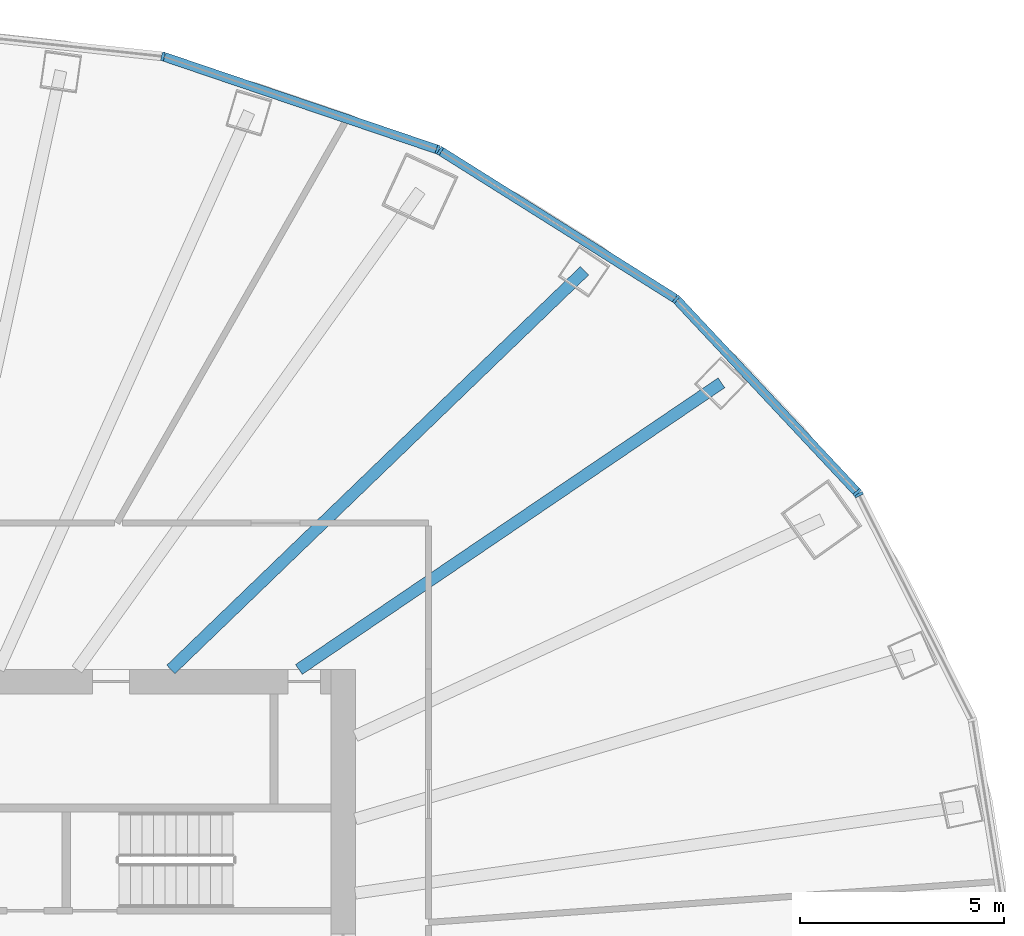
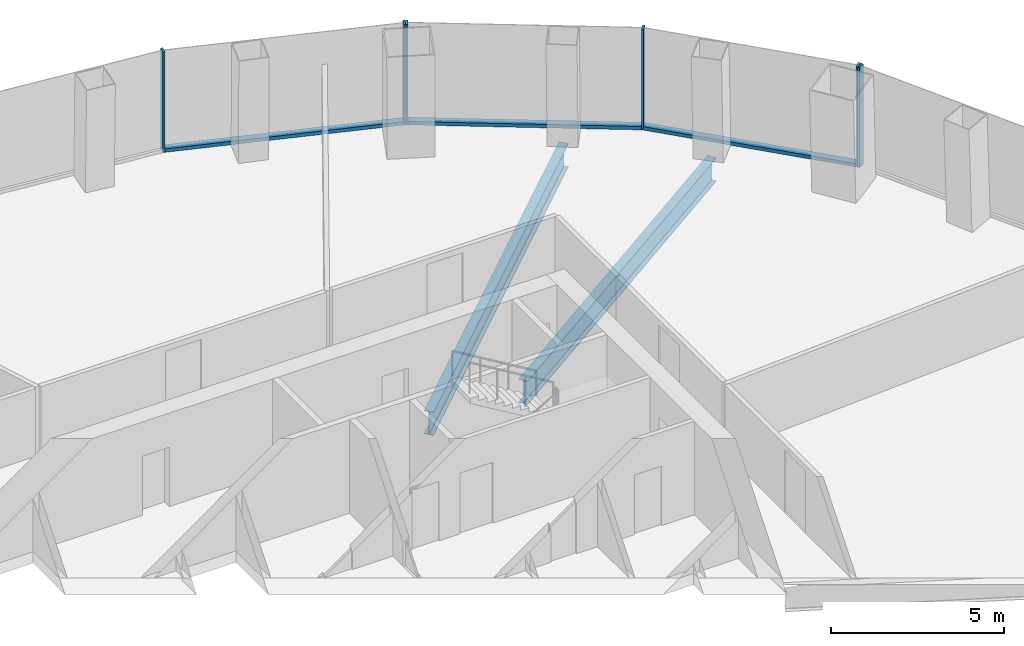
# One storey, part 6 of 11: 9 members, 2 beams, 3 elements without a shape of their own.
"""IFC4 building model written with IfcOpenShell, lengths in metres."""

from ifc_helpers import new_model, si_unit, direction, frame, origin, origin_2d, place, context, subcontext, project, spatial, rectangle, i_section, extrude, material, layer, layer_set, material_profile, profile_set, type_object, element, aggregate, save


model = new_model("IFC4")

# Units and contexts
model_context = context("Model", 3, precision=1e-05, world=origin(), true_north=direction((0.0, 1.0)))
body_context = subcontext(model_context, "Body", "Model", "MODEL_VIEW")
ifc_project = project(units=[si_unit("LENGTHUNIT", "METRE"), si_unit("AREAUNIT", "SQUARE_METRE"), si_unit("VOLUMEUNIT", "CUBIC_METRE"), si_unit("PLANEANGLEUNIT", "RADIAN"), si_unit("MASSUNIT", "GRAM", prefix="KILO")], contexts=[model_context])

# Site, building, storey
site_placement = place(None, origin())
site = spatial("IfcSite", under=ifc_project, at=site_placement, CompositionType="ELEMENT")
building_placement = place(site_placement, origin())
building = spatial("IfcBuilding", under=site, at=building_placement, Name="Siaravel Broadcast Tower", CompositionType="ELEMENT")
storey_placement = place(building_placement, frame((0.0, 0.0, 40.800048828125)))
storey = spatial("IfcBuildingStorey", under=building, at=storey_placement, Name="L08", CompositionType="ELEMENT", Elevation=40.800048828125)

# Beams
ifc_material_1 = material(Name="Steel S355", Category="steel")
ifc_material_profile_1 = material_profile(ifc_material_1, i_section(OverallWidth=0.291748046875, OverallDepth=0.8349609375, WebThickness=0.013916015625, FlangeThickness=0.018798828125, FilletRadius=0.017822265625, at=origin_2d()))
ifc_profile_set_1 = profile_set([ifc_material_profile_1], Name="Steel S355")
beam_type = type_object("IfcBeamType", Name="BM-UB 838x292x176", PredefinedType="BEAM", material=ifc_profile_set_1)
beam_1_placement = place(storey_placement, frame((20.989990234375, 14.238525390625, -0.567626953125), z_axis=(-0.827559775, -0.561377608, 0.0), x_axis=(0.561377608, -0.827559775, 0.0)))
element("IfcBeam", 1, at=beam_1_placement, inside=storey, type_object=beam_type, Name="Radial beam RB05", PredefinedType="BEAM", context=body_context, shape_type="SweptSolid", body=[
    extrude(i_section(OverallWidth=0.291748046875, OverallDepth=0.8349609375, WebThickness=0.013916015625, FlangeThickness=0.018798828125, FilletRadius=0.017822265625, at=origin_2d()), origin(), (0.0, 0.0, 1.0), 12.5380859375),
])
beam_2_placement = place(storey_placement, frame((17.628662109375, 16.99169921875, -0.567626953125), z_axis=(-0.719990643, -0.693983771, 0.0), x_axis=(0.693983771, -0.719990643, 0.0)))
element("IfcBeam", 2, at=beam_2_placement, inside=storey, type_object=beam_type, Name="Radial beam RB06", PredefinedType="BEAM", context=body_context, shape_type="SweptSolid", body=[
    extrude(i_section(OverallWidth=0.291748046875, OverallDepth=0.8349609375, WebThickness=0.013916015625, FlangeThickness=0.018798828125, FilletRadius=0.017822265625, at=origin_2d()), origin(), (0.0, 0.0, 1.0), 14.109375),
])

# Curtain wall, member
ifc_material_2 = material(Name="Aluminium 6063-T6", Category="aluminium")
ifc_layer = layer(ifc_material_2, 0.219970703125)
ifc_layer_set = layer_set([ifc_layer], Name="Aluminium 6063-T6")
curtain_wall_type = type_object("IfcCurtainWallType", Name="Unitised curtain wall, zone 1", PredefinedType="NOTDEFINED", material=ifc_layer_set)
curtain_wall_1_placement = place(storey_placement, origin())
curtain_wall_1 = element("IfcCurtainWall", 3, at=curtain_wall_1_placement, inside=storey, type_object=curtain_wall_type, Name="L08 Unitised curtain wall, zone 1 01", PredefinedType="NOTDEFINED")
ifc_material_profile_2 = material_profile(ifc_material_2, rectangle(XDim=0.219970703125, YDim=0.070068359375, at=origin_2d()))
ifc_profile_set_2 = profile_set([ifc_material_profile_2], Name="Aluminium 6063-T6")
member_type_1 = type_object("IfcMemberType", Name="CW-Z1 mullion", PredefinedType="MULLION", material=ifc_profile_set_2)
member_1_placement = place(storey_placement, frame((24.362548828125, 11.4921875, 0.0), z_axis=(0.0, 0.0, 1.0), x_axis=(-0.892391814, -0.451261399, 0.0)))
member_1 = element("IfcMember", 4, at=member_1_placement, type_object=member_type_1, Name="CW-Z1 mullion 3", PredefinedType="MULLION", context=body_context, shape_type="SweptSolid", body=[
    extrude(rectangle(XDim=0.219970703125, YDim=0.070068359375, at=origin_2d()), origin(), (0.0, 0.0, 1.0), 3.550048828125),
])
aggregate(curtain_wall_1, [member_1])

# Curtain wall, members
curtain_wall_2_placement = place(storey_placement, origin())
curtain_wall_2 = element("IfcCurtainWall", 5, at=curtain_wall_2_placement, inside=storey, type_object=curtain_wall_type, Name="L08 Unitised curtain wall, zone 1 02", PredefinedType="NOTDEFINED")
member_2_placement = place(storey_placement, frame((24.322998046875, 11.549072265625, 0.0), z_axis=(0.0, 0.0, 1.0), x_axis=(-0.729804946, -0.683655426, 0.0)))
member_2 = element("IfcMember", 6, at=member_2_placement, type_object=member_type_1, Name="CW-Z1 mullion 1", PredefinedType="MULLION", context=body_context, shape_type="SweptSolid", body=[
    extrude(rectangle(XDim=0.219970703125, YDim=0.070068359375, at=origin_2d()), origin(), (0.0, 0.0, 1.0), 3.550048828125),
])
member_3_placement = place(storey_placement, frame((19.87744140625, 16.294677734375, 0.0), z_axis=(0.0, 0.0, 1.0), x_axis=(-0.63621841, -0.771508998, 0.0)))
member_3 = element("IfcMember", 7, at=member_3_placement, type_object=member_type_1, Name="CW-Z1 mullion 2", PredefinedType="MULLION", context=body_context, shape_type="SweptSolid", body=[
    extrude(rectangle(XDim=0.219970703125, YDim=0.070068359375, at=origin_2d()), origin(), (0.0, 0.0, 1.0), 3.550048828125),
])
member_4_placement = place(storey_placement, frame((14.083984375, 19.935791015625, 0.0), z_axis=(0.0, 0.0, 1.0), x_axis=(-0.532149101, -0.846650657, 0.0)))
member_4 = element("IfcMember", 8, at=member_4_placement, type_object=member_type_1, Name="CW-Z1 mullion 3", PredefinedType="MULLION", context=body_context, shape_type="SweptSolid", body=[
    extrude(rectangle(XDim=0.219970703125, YDim=0.070068359375, at=origin_2d()), origin(), (0.0, 0.0, 1.0), 3.550048828125),
])

curtain_wall_3_placement = place(storey_placement, origin())
curtain_wall_3 = element("IfcCurtainWall", 9, at=curtain_wall_3_placement, inside=storey, type_object=curtain_wall_type, Name="L08 Unitised curtain wall, zone 1 03", PredefinedType="NOTDEFINED")
member_5_placement = place(storey_placement, frame((14.021240234375, 19.9658203125, 0.0), z_axis=(0.0, 0.0, 1.0), x_axis=(-0.321300632, -0.946977246, 0.0)))
member_5 = element("IfcMember", 10, at=member_5_placement, type_object=member_type_1, Name="CW-Z1 mullion 1", PredefinedType="MULLION", context=body_context, shape_type="SweptSolid", body=[
    extrude(rectangle(XDim=0.219970703125, YDim=0.070068359375, at=origin_2d()), origin(), (0.0, 0.0, 1.0), 3.550048828125),
])
member_6_placement = place(storey_placement, frame((7.27490234375, 22.2548828125, 0.0), z_axis=(0.0, 0.0, 1.0), x_axis=(-0.215558083, -0.97649102, 0.0)))
member_6 = element("IfcMember", 11, at=member_6_placement, type_object=member_type_1, Name="CW-Z1 mullion 2", PredefinedType="MULLION", context=body_context, shape_type="SweptSolid", body=[
    extrude(rectangle(XDim=0.219970703125, YDim=0.070068359375, at=origin_2d()), origin(), (0.0, 0.0, 1.0), 3.550048828125),
])

# Member
ifc_material_profile_3 = material_profile(ifc_material_2, rectangle(XDim=0.219970703125, YDim=0.1201171875, at=origin_2d()))
ifc_profile_set_3 = profile_set([ifc_material_profile_3], Name="Aluminium 6063-T6")
member_type_2 = type_object("IfcMemberType", Name="CW-Z1 transom", PredefinedType="USERDEFINED", material=ifc_profile_set_3)
member_7_placement = place(storey_placement, frame((24.299072265625, 11.574462890625, 0.06005859375), z_axis=(-0.683654492, 0.72980582, 0.0), x_axis=(-0.72980582, -0.683654492, 0.0)))
member_7 = element("IfcMember", 12, at=member_7_placement, type_object=member_type_2, Name="CW-Z1 transom 1", ObjectType="TRANSOM", PredefinedType="USERDEFINED", context=body_context, shape_type="SweptSolid", body=[
    extrude(rectangle(XDim=0.219970703125, YDim=0.1201171875, at=origin_2d()), origin(), (0.0, 0.0, 1.0), 6.4326171875),
])

member_8_placement = place(storey_placement, frame((19.847900390625, 16.313232421875, 0.06005859375), z_axis=(-0.846656967, 0.532139062, 0.0), x_axis=(-0.532139062, -0.846656967, 0.0)))
member_8 = element("IfcMember", 13, at=member_8_placement, type_object=member_type_2, Name="CW-Z1 transom 2", ObjectType="TRANSOM", PredefinedType="USERDEFINED", context=body_context, shape_type="SweptSolid", body=[
    extrude(rectangle(XDim=0.219970703125, YDim=0.1201171875, at=origin_2d()), origin(), (0.0, 0.0, 1.0), 6.772705078125),
])

aggregate(curtain_wall_2, [member_2, member_3, member_4, member_7, member_8])

member_9_placement = place(storey_placement, frame((13.988037109375, 19.97705078125, 0.06005859375), z_axis=(-0.946973811, 0.321310754, 0.0), x_axis=(-0.321310754, -0.946973811, 0.0)))
member_9 = element("IfcMember", 14, at=member_9_placement, type_object=member_type_2, Name="CW-Z1 transom 1", ObjectType="TRANSOM", PredefinedType="USERDEFINED", context=body_context, shape_type="SweptSolid", body=[
    extrude(rectangle(XDim=0.219970703125, YDim=0.1201171875, at=origin_2d()), origin(), (0.0, 0.0, 1.0), 7.05419921875),
])

aggregate(curtain_wall_3, [member_5, member_6, member_9])

save(model, "model.ifc")
